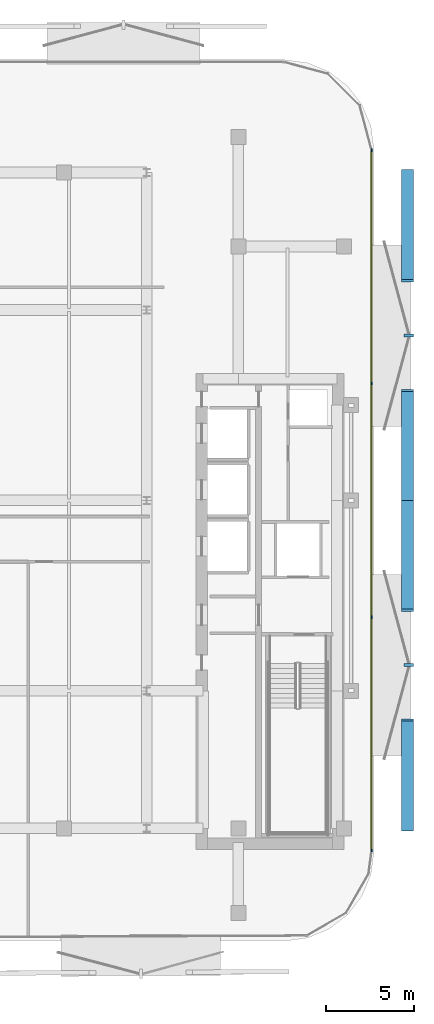
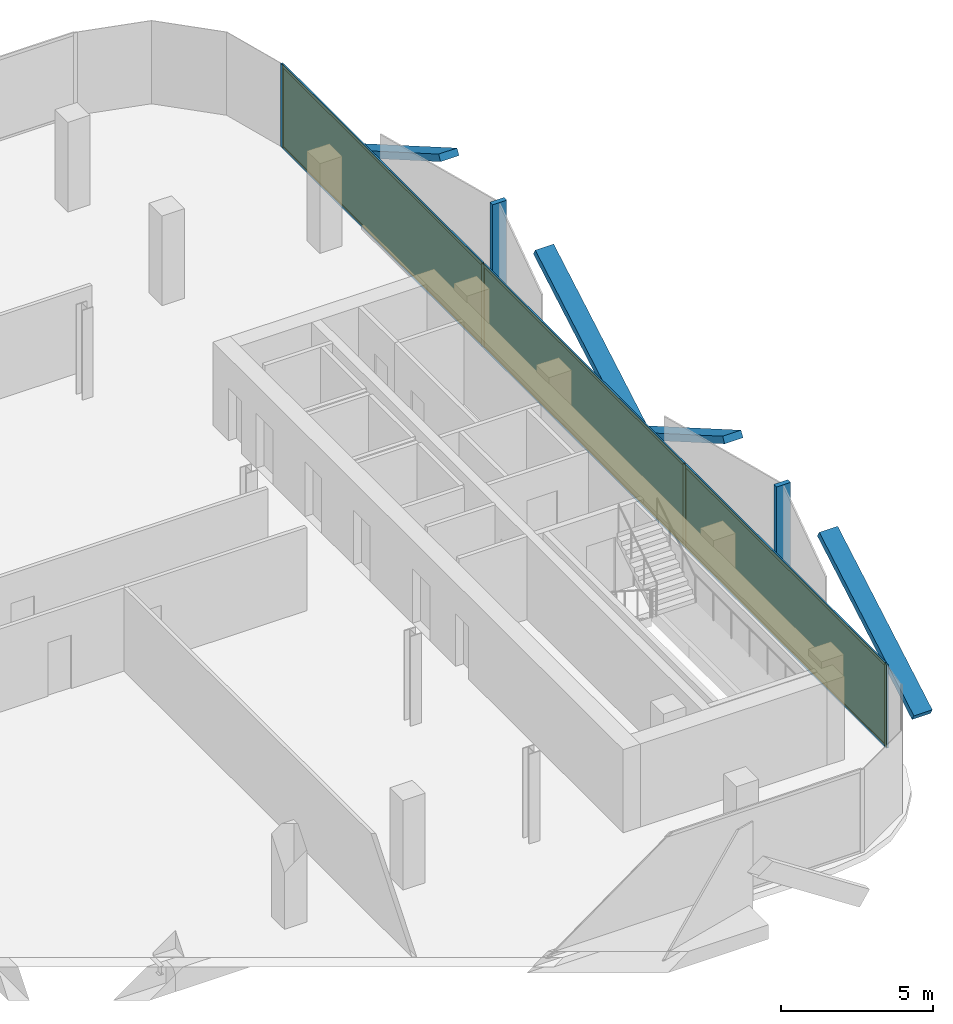
# One storey, part 7 of 11: 16 members, 3 plates, 1 curtain wall.
"""IFC4 building model written with IfcOpenShell, lengths in metres."""

from ifc_helpers import new_model, si_unit, direction, frame, frame_2d, origin, origin_2d, place, context, subcontext, project, spatial, rectangle, extrude, material, layer, layer_set, material_profile, profile_set, type_object, element, aggregate, save


model = new_model("IFC4")

# Units and contexts
model_context = context("Model", 3, precision=1e-05, world=origin(), true_north=direction((0.0, 1.0)))
body_context = subcontext(model_context, "Body", "Model", "MODEL_VIEW")
ifc_project = project(units=[si_unit("LENGTHUNIT", "METRE"), si_unit("AREAUNIT", "SQUARE_METRE"), si_unit("VOLUMEUNIT", "CUBIC_METRE"), si_unit("PLANEANGLEUNIT", "RADIAN"), si_unit("MASSUNIT", "GRAM", prefix="KILO")], contexts=[model_context])

# Member
ifc_material_1 = material(Name="Anodised Bronze Aluminium 6063-T6", Category="aluminium")
ifc_material_profile_1 = material_profile(ifc_material_1, rectangle(XDim=0.260009765625, YDim=0.699951171875, at=origin_2d()))
ifc_profile_set_1 = profile_set([ifc_material_profile_1], Name="Anodised Bronze Aluminium 6063-T6")
member_type_1 = type_object("IfcMemberType", Name="Bronze Diamond Solar-Screen Lattice Rib BDL-700", PredefinedType="MULLION", material=ifc_profile_set_1)
site_placement = place(None, origin())
building_placement = place(site_placement, origin())
storey_placement = place(building_placement, frame((0.0, 0.0, 222.39990234375)))
member_1_placement = place(storey_placement, frame((24.0, 18.69091796875, -0.1298828125), z_axis=(0.0, -0.865848743011, 0.500305860676), x_axis=(0.0, -0.500305860676, -0.865848743011)))
member_1 = element("IfcMember", 1, at=member_1_placement, type_object=member_type_1, Name="L51 Bronze Diamond Solar Screen Lattice Rib 343A", PredefinedType="MULLION", context=body_context, shape_type="SweptSolid", body=[
    extrude(rectangle(XDim=0.260009765625, YDim=0.699951171875, at=origin_2d()), origin(), (0.0, 0.0, 1.0), 7.19580078125),
])

member_2_placement = place(storey_placement, frame((24.0, 0.0, -0.1298828125), z_axis=(0.0, 0.865840250196, 0.500320558383), x_axis=(0.0, 0.500320558383, -0.865840250196)))
member_2 = element("IfcMember", 2, at=member_2_placement, type_object=member_type_1, Name="L51 Bronze Diamond Solar Screen Lattice Rib 343B", PredefinedType="MULLION", context=body_context, shape_type="SweptSolid", body=[
    extrude(rectangle(XDim=0.260009765625, YDim=0.699951171875, at=origin_2d()), origin(), (0.0, 0.0, 1.0), 7.195556640625),
])

member_3_placement = place(storey_placement, frame((24.0, 0.0, -0.1298828125), z_axis=(0.0, -0.865840250196, 0.500320558383), x_axis=(0.0, -0.500320558383, -0.865840250196)))
member_3 = element("IfcMember", 3, at=member_3_placement, type_object=member_type_1, Name="L51 Bronze Diamond Solar Screen Lattice Rib 344A", PredefinedType="MULLION", context=body_context, shape_type="SweptSolid", body=[
    extrude(rectangle(XDim=0.260009765625, YDim=0.699951171875, at=origin_2d()), origin(), (0.0, 0.0, 1.0), 7.195556640625),
])

member_4_placement = place(storey_placement, frame((24.0, -18.69091796875, -0.1298828125), z_axis=(0.0, 0.865848743011, 0.500305860676), x_axis=(0.0, 0.500305860676, -0.865848743011)))
member_4 = element("IfcMember", 4, at=member_4_placement, type_object=member_type_1, Name="L51 Bronze Diamond Solar Screen Lattice Rib 344B", PredefinedType="MULLION", context=body_context, shape_type="SweptSolid", body=[
    extrude(rectangle(XDim=0.260009765625, YDim=0.699951171875, at=origin_2d()), origin(), (0.0, 0.0, 1.0), 7.19580078125),
])

ifc_material_2 = material(Name="Anodised Bronze Aluminium 6063-T6", Category="aluminium")
ifc_material_profile_2 = material_profile(ifc_material_2, rectangle(XDim=0.179931640625, YDim=0.5400390625, at=origin_2d()))
ifc_profile_set_2 = profile_set([ifc_material_profile_2], Name="Anodised Bronze Aluminium 6063-T6")
member_type_2 = type_object("IfcMemberType", Name="Bronze Solar-Screen Vertical Fold Fin BSF-540", PredefinedType="MULLION", material=ifc_profile_set_2)
member_5_placement = place(storey_placement, frame((24.080078125, 9.345458984375, -0.1298828125), z_axis=(0.0, 0.0, 1.0), x_axis=(0.0, -1.0, 0.0)))
member_5 = element("IfcMember", 5, at=member_5_placement, type_object=member_type_2, Name="L51 Bronze Solar Screen Vertical Fin 343", PredefinedType="MULLION", context=body_context, shape_type="SweptSolid", body=[
    extrude(rectangle(XDim=0.179931640625, YDim=0.5400390625, at=origin_2d()), origin(), (0.0, 0.0, 1.0), 3.60009765625),
])

member_6_placement = place(storey_placement, frame((24.080078125, -9.345458984375, -0.1298828125), z_axis=(0.0, 0.0, 1.0), x_axis=(0.0, -1.0, 0.0)))
member_6 = element("IfcMember", 6, at=member_6_placement, type_object=member_type_2, Name="L51 Bronze Solar Screen Vertical Fin 344", PredefinedType="MULLION", context=body_context, shape_type="SweptSolid", body=[
    extrude(rectangle(XDim=0.179931640625, YDim=0.5400390625, at=origin_2d()), origin(), (0.0, 0.0, 1.0), 3.60009765625),
])

ifc_material_3 = material(Name="Anodised Bronze Aluminium 6063-T6", Category="aluminium")
ifc_material_profile_3 = material_profile(ifc_material_3, rectangle(XDim=0.06005859375, YDim=0.159912109375, at=origin_2d()))
ifc_profile_set_3 = profile_set([ifc_material_profile_3], Name="Anodised Bronze Aluminium 6063-T6")
member_type_3 = type_object("IfcMemberType", Name="CW-Z4 Mullion 60x160", PredefinedType="MULLION", material=ifc_profile_set_3)
member_7_placement = place(storey_placement, frame((21.9599609375, 19.86083984375, 0.0), z_axis=(0.0, 0.0, 1.0), x_axis=(1.0, 0.0, 0.0)))
member_7 = element("IfcMember", 7, at=member_7_placement, type_object=member_type_3, Name="CW-Z4 mullion 1", PredefinedType="MULLION", context=body_context, shape_type="SweptSolid", body=[
    extrude(rectangle(XDim=0.06005859375, YDim=0.159912109375, at=origin_2d()), origin(), (0.0, 0.0, 1.0), 3.340087890625),
])

member_8_placement = place(storey_placement, frame((21.9599609375, 6.63037109375, 0.0), z_axis=(0.0, 0.0, 1.0), x_axis=(1.0, 0.0, 0.0)))
member_8 = element("IfcMember", 8, at=member_8_placement, type_object=member_type_3, Name="CW-Z4 mullion 2", PredefinedType="MULLION", context=body_context, shape_type="SweptSolid", body=[
    extrude(rectangle(XDim=0.06005859375, YDim=0.159912109375, at=origin_2d()), origin(), (0.0, 0.0, 1.0), 3.340087890625),
])

member_9_placement = place(storey_placement, frame((21.9599609375, -6.63037109375, 0.0), z_axis=(0.0, 0.0, 1.0), x_axis=(1.0, 0.0, 0.0)))
member_9 = element("IfcMember", 9, at=member_9_placement, type_object=member_type_3, Name="CW-Z4 mullion 3", PredefinedType="MULLION", context=body_context, shape_type="SweptSolid", body=[
    extrude(rectangle(XDim=0.06005859375, YDim=0.159912109375, at=origin_2d()), origin(), (0.0, 0.0, 1.0), 3.340087890625),
])

member_10_placement = place(storey_placement, frame((21.9599609375, -19.86083984375, 0.0), z_axis=(0.0, 0.0, 1.0), x_axis=(1.0, 0.0, 0.0)))
member_10 = element("IfcMember", 10, at=member_10_placement, type_object=member_type_3, Name="CW-Z4 mullion 4", PredefinedType="MULLION", context=body_context, shape_type="SweptSolid", body=[
    extrude(rectangle(XDim=0.06005859375, YDim=0.159912109375, at=origin_2d()), origin(), (0.0, 0.0, 1.0), 3.340087890625),
])

ifc_material_4 = material(Name="Anodised Bronze Aluminium 6063-T6", Category="aluminium")
ifc_material_profile_4 = material_profile(ifc_material_4, rectangle(XDim=0.06005859375, YDim=0.125, at=origin_2d()))
ifc_profile_set_4 = profile_set([ifc_material_profile_4], Name="Anodised Bronze Aluminium 6063-T6")
member_type_4 = type_object("IfcMemberType", Name="CW-Z4 Transom 60x125", PredefinedType="USERDEFINED", material=ifc_profile_set_4)
member_11_placement = place(storey_placement, frame((21.9599609375, 19.830810546875, 0.030029296875), z_axis=(0.0, -1.0, 0.0), x_axis=(1.0, 0.0, 0.0)))
member_11 = element("IfcMember", 11, at=member_11_placement, type_object=member_type_4, Name="CW-Z4 transom 1.1", ObjectType="TRANSOM", PredefinedType="USERDEFINED", context=body_context, shape_type="SweptSolid", body=[
    extrude(rectangle(XDim=0.06005859375, YDim=0.125, at=origin_2d()), origin(), (0.0, 0.0, 1.0), 13.170654296875),
])

member_12_placement = place(storey_placement, frame((21.9599609375, 19.830810546875, 3.31005859375), z_axis=(0.0, -1.0, 0.0), x_axis=(1.0, 0.0, 0.0)))
member_12 = element("IfcMember", 12, at=member_12_placement, type_object=member_type_4, Name="CW-Z4 transom 1.2", ObjectType="TRANSOM", PredefinedType="USERDEFINED", context=body_context, shape_type="SweptSolid", body=[
    extrude(rectangle(XDim=0.06005859375, YDim=0.125, at=origin_2d()), origin(), (0.0, 0.0, 1.0), 13.170654296875),
])

member_13_placement = place(storey_placement, frame((21.9599609375, 6.600341796875, 0.030029296875), z_axis=(0.0, -1.0, 0.0), x_axis=(1.0, 0.0, 0.0)))
member_13 = element("IfcMember", 13, at=member_13_placement, type_object=member_type_4, Name="CW-Z4 transom 2.1", ObjectType="TRANSOM", PredefinedType="USERDEFINED", context=body_context, shape_type="SweptSolid", body=[
    extrude(rectangle(XDim=0.06005859375, YDim=0.125, at=origin_2d()), origin(), (0.0, 0.0, 1.0), 13.20068359375),
])

member_14_placement = place(storey_placement, frame((21.9599609375, 6.600341796875, 3.31005859375), z_axis=(0.0, -1.0, 0.0), x_axis=(1.0, 0.0, 0.0)))
member_14 = element("IfcMember", 14, at=member_14_placement, type_object=member_type_4, Name="CW-Z4 transom 2.2", ObjectType="TRANSOM", PredefinedType="USERDEFINED", context=body_context, shape_type="SweptSolid", body=[
    extrude(rectangle(XDim=0.06005859375, YDim=0.125, at=origin_2d()), origin(), (0.0, 0.0, 1.0), 13.20068359375),
])

member_15_placement = place(storey_placement, frame((21.9599609375, -6.66015625, 0.030029296875), z_axis=(0.0, -1.0, 0.0), x_axis=(1.0, 0.0, 0.0)))
member_15 = element("IfcMember", 15, at=member_15_placement, type_object=member_type_4, Name="CW-Z4 transom 3.1", ObjectType="TRANSOM", PredefinedType="USERDEFINED", context=body_context, shape_type="SweptSolid", body=[
    extrude(rectangle(XDim=0.06005859375, YDim=0.125, at=origin_2d()), origin(), (0.0, 0.0, 1.0), 13.170654296875),
])

member_16_placement = place(storey_placement, frame((21.9599609375, -6.66015625, 3.31005859375), z_axis=(0.0, -1.0, 0.0), x_axis=(1.0, 0.0, 0.0)))
member_16 = element("IfcMember", 16, at=member_16_placement, type_object=member_type_4, Name="CW-Z4 transom 3.2", ObjectType="TRANSOM", PredefinedType="USERDEFINED", context=body_context, shape_type="SweptSolid", body=[
    extrude(rectangle(XDim=0.06005859375, YDim=0.125, at=origin_2d()), origin(), (0.0, 0.0, 1.0), 13.170654296875),
])

# Plate
ifc_material_5 = material(Name="Low-E Solar Control Laminated Glass", Category="glass")
ifc_layer_1 = layer(ifc_material_5, 0.030029296875, Name="Low-E Solar Control Laminated Glass")
ifc_layer_set_1 = layer_set([ifc_layer_1], Name="Low-E Solar Control Laminated Glass")
plate_type = type_object("IfcPlateType", Name="CW-Z4 Low-E Double Glazed Panel 30mm", PredefinedType="CURTAIN_PANEL", material=ifc_layer_set_1)
plate_1_placement = place(storey_placement, frame((21.9599609375, 13.24560546875, 0.06005859375), z_axis=(0.0, 0.0, 1.0), x_axis=(0.0, -1.0, 0.0)))
plate_1 = element("IfcPlate", 17, at=plate_1_placement, type_object=plate_type, Name="CW-Z4 panel 1.1", PredefinedType="CURTAIN_PANEL", context=body_context, shape_type="SweptSolid", body=[
    extrude(rectangle(XDim=13.170654296875, YDim=0.030029296875, at=origin_2d()), origin(), (0.0, 0.0, 1.0), 3.219970703125),
])

plate_2_placement = place(storey_placement, frame((21.9599609375, 0.0, 0.06005859375), z_axis=(0.0, 0.0, 1.0), x_axis=(0.0, -1.0, 0.0)))
plate_2 = element("IfcPlate", 18, at=plate_2_placement, type_object=plate_type, Name="CW-Z4 panel 2.1", PredefinedType="CURTAIN_PANEL", context=body_context, shape_type="SweptSolid", body=[
    extrude(rectangle(XDim=13.200439453125, YDim=0.030029296875, at=origin_2d()), origin(), (0.0, 0.0, 1.0), 3.219970703125),
])

plate_3_placement = place(storey_placement, frame((21.9599609375, -13.24560546875, 0.06005859375), z_axis=(0.0, 0.0, 1.0), x_axis=(0.0, -1.0, 0.0)))
plate_3 = element("IfcPlate", 19, at=plate_3_placement, type_object=plate_type, Name="CW-Z4 panel 3.1", PredefinedType="CURTAIN_PANEL", context=body_context, shape_type="SweptSolid", body=[
    extrude(rectangle(XDim=13.170654296875, YDim=0.030029296875, at=origin_2d()), origin(), (0.0, 0.0, 1.0), 3.219970703125),
])

# Site, building, storey
site = spatial("IfcSite", under=ifc_project, at=site_placement, CompositionType="ELEMENT")
building = spatial("IfcBuilding", under=site, at=building_placement, Name="Khairoan Windgate Tower", CompositionType="ELEMENT")
storey = spatial("IfcBuildingStorey", under=building, at=storey_placement, Name="L51", CompositionType="ELEMENT", Elevation=222.39990234375)

# Curtain wall
ifc_material_6 = material(Name="Anodised Bronze Aluminium 6063-T6", Category="aluminium")
ifc_layer_2 = layer(ifc_material_6, 0.159912109375, Name="Anodised Bronze Aluminium 6063-T6")
ifc_layer_set_2 = layer_set([ifc_layer_2], Name="Anodised Bronze Aluminium 6063-T6")
curtain_wall_type = type_object("IfcCurtainWallType", Name="Sky Residence Unitised Curtain Wall CW-Z4", PredefinedType="NOTDEFINED", material=ifc_layer_set_2)
curtain_wall_placement = place(storey_placement, frame((21.9599609375, 19.890869140625, 0.0), z_axis=(0.0, 0.0, 1.0), x_axis=(0.0, -1.0, 0.0)))
curtain_wall = element("IfcCurtainWall", 20, at=curtain_wall_placement, inside=storey, type_object=curtain_wall_type, Name="L51 Unitised Curtain Wall 13", PredefinedType="NOTDEFINED", context=body_context, shape_type="SweptSolid", body=[
    extrude(rectangle(XDim=39.78173828125, YDim=0.010009765625, at=frame_2d((19.890869140625, 0.0))), origin(), (0.0, 0.0, 1.0), 3.340087890625),
])

aggregate(curtain_wall, [member_7, member_8, member_9, member_10, member_11, member_12, plate_1, member_13, member_14, plate_2, member_15, member_16, plate_3, member_1, member_2, member_5, member_3, member_4, member_6])

save(model, "model.ifc")
